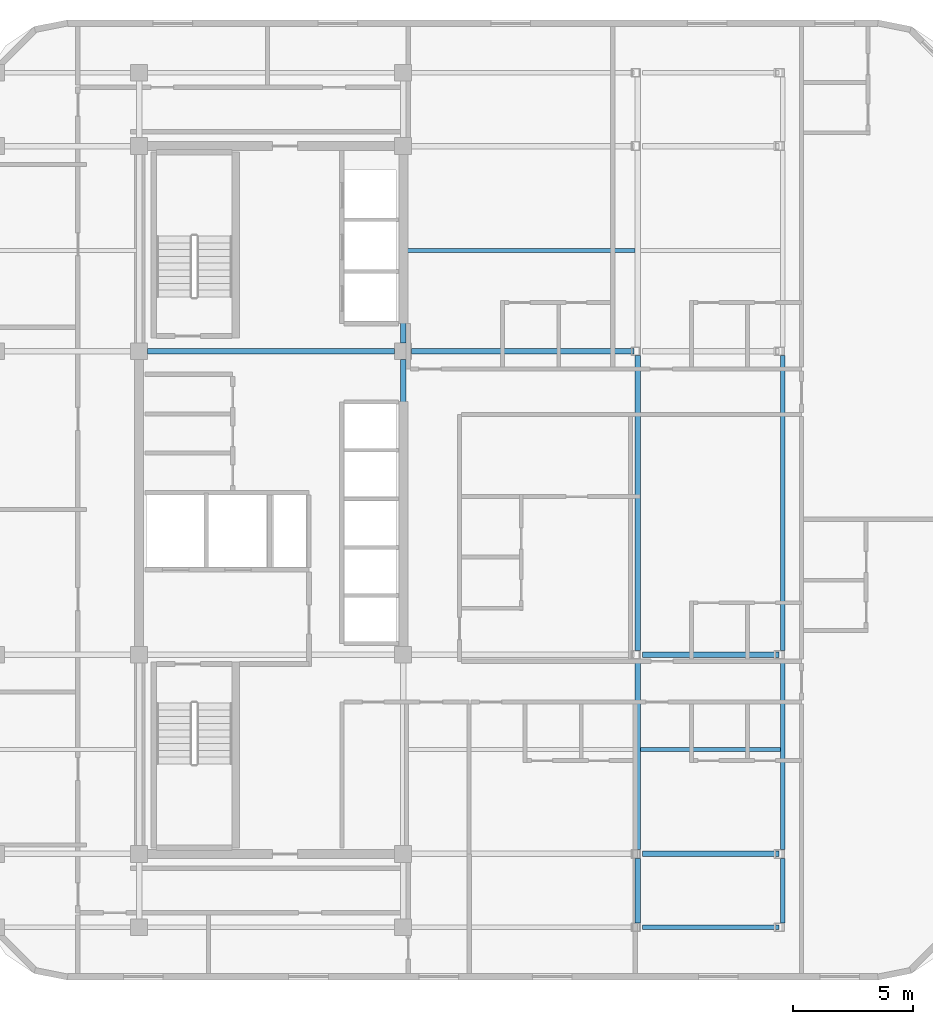
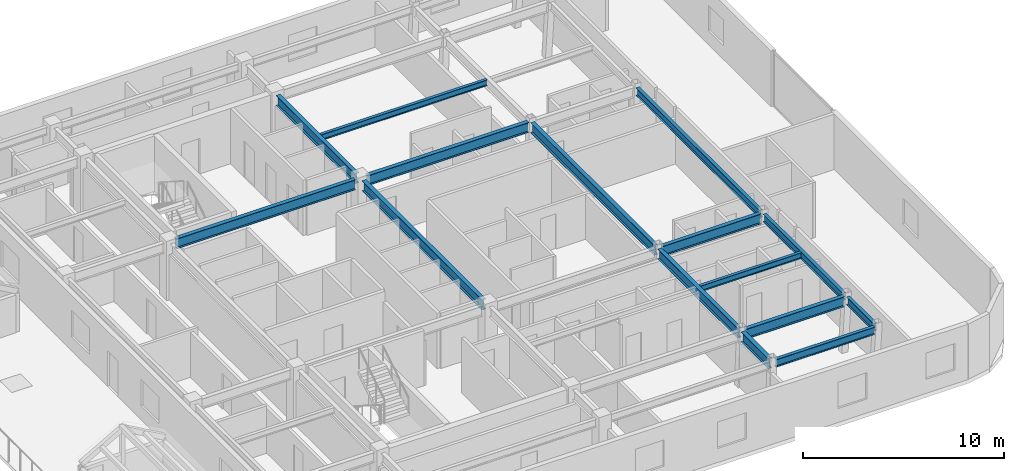
# One storey, part 5 of 16: 15 beams.
"""IFC4 building model written with IfcOpenShell, lengths in metres."""

from ifc_helpers import new_model, si_unit, direction, frame, origin, origin_2d, place, context, subcontext, project, spatial, i_section, extrude, material, material_profile, profile_set, type_object, element, save


model = new_model("IFC4")

# Units and contexts
model_context = context("Model", 3, precision=1e-05, world=origin(), true_north=direction((0.0, 1.0)))
body_context = subcontext(model_context, "Body", "Model", "MODEL_VIEW")
ifc_project = project(units=[si_unit("LENGTHUNIT", "METRE"), si_unit("AREAUNIT", "SQUARE_METRE"), si_unit("VOLUMEUNIT", "CUBIC_METRE"), si_unit("PLANEANGLEUNIT", "RADIAN"), si_unit("MASSUNIT", "GRAM", prefix="KILO")], contexts=[model_context])

# Site, building, storey
site_placement = place(None, origin())
site = spatial("IfcSite", under=ifc_project, at=site_placement, CompositionType="ELEMENT")
building_placement = place(site_placement, origin())
building = spatial("IfcBuilding", under=site, at=building_placement, Name="Ochreholt Gables", CompositionType="ELEMENT")
storey_placement = place(building_placement, frame((0.0, 0.0, 141.0)))
storey = spatial("IfcBuildingStorey", under=building, at=storey_placement, Name="L36", CompositionType="ELEMENT", Elevation=141.0)

# Beams
ifc_material = material(Name="Steel CSA G40.21 350W", Category="steel")
ifc_material_profile_1 = material_profile(ifc_material, i_section(OverallWidth=0.22900390625, OverallDepth=0.612060546875, WebThickness=0.011962890625, FlangeThickness=0.01953125, at=origin_2d()), Name="W610X125")
ifc_profile_set_1 = profile_set([ifc_material_profile_1], Name="Steel CSA G40.21 350W")
beam_type_1 = type_object("IfcBeamType", Name="BM-G-W610B", PredefinedType="BEAM", material=ifc_profile_set_1)
for number, where, z_axis, x_axis, name in (
    (1, (45.174560546875, 9.25, 3.053955078125), (1.0, 0.0, 0.0), (0.0, 1.0, 0.0), "L36 Beam TBG-L36-EMEE-Y2"),
    (2, (45.174560546875, 17.550048828125, 3.053955078125), (1.0, 0.0, 0.0), (0.0, 1.0, 0.0), "L36 Beam TBG-L36-EMEE-Y3"),
):
    element("IfcBeam", number, at=place(storey_placement, frame(where, z_axis=z_axis, x_axis=x_axis)), inside=storey, type_object=beam_type_1, Name=name, PredefinedType="BEAM", context=body_context, shape_type="SweptSolid", body=[
        extrude(i_section(OverallWidth=0.22900390625, OverallDepth=0.612060546875, WebThickness=0.011962890625, FlangeThickness=0.01953125, at=origin_2d()), origin(), (0.0, 0.0, 1.0), 5.69140625),
    ])
beam_1_placement = place(storey_placement, frame((24.549560546875, 30.199951171875, 3.053955078125), z_axis=(1.0, 0.0, 0.0), x_axis=(0.0, 1.0, 0.0)))
element("IfcBeam", 3, at=beam_1_placement, inside=storey, type_object=beam_type_1, Name="L36 Beam TBG-L36-C1C2-Y4", PredefinedType="BEAM", context=body_context, shape_type="SweptSolid", body=[
    extrude(i_section(OverallWidth=0.22900390625, OverallDepth=0.612060546875, WebThickness=0.011962890625, FlangeThickness=0.01953125, at=origin_2d()), origin(), (0.0, 0.0, 1.0), 10.30078125),
])
beam_2_placement = place(storey_placement, frame((35.549560546875, 30.199951171875, 3.053955078125), z_axis=(1.0, 0.0, 0.0), x_axis=(0.0, 1.0, 0.0)))
element("IfcBeam", 4, at=beam_2_placement, inside=storey, type_object=beam_type_1, Name="L36 Beam TBG-L36-C2EM-Y4", PredefinedType="BEAM", context=body_context, shape_type="SweptSolid", body=[
    extrude(i_section(OverallWidth=0.22900390625, OverallDepth=0.612060546875, WebThickness=0.011962890625, FlangeThickness=0.01953125, at=origin_2d()), origin(), (0.0, 0.0, 1.0), 9.269775390625),
])
beam_3_placement = place(storey_placement, frame((35.199951171875, 17.899658203125, 3.053955078125), z_axis=(0.0, 1.0, 0.0), x_axis=(-1.0, 0.0, 0.0)))
element("IfcBeam", 5, at=beam_3_placement, inside=storey, type_object=beam_type_1, Name="L36 Beam TBN-L36-C2-Y3Y4", PredefinedType="BEAM", context=body_context, shape_type="SweptSolid", body=[
    extrude(i_section(OverallWidth=0.22900390625, OverallDepth=0.612060546875, WebThickness=0.011962890625, FlangeThickness=0.01953125, at=origin_2d()), origin(), (0.0, 0.0, 1.0), 11.95068359375),
])
beam_4_placement = place(storey_placement, frame((35.199951171875, 30.549560546875, 3.053955078125), z_axis=(0.0, 1.0, 0.0), x_axis=(-1.0, 0.0, 0.0)))
element("IfcBeam", 6, at=beam_4_placement, inside=storey, type_object=beam_type_1, Name="L36 Beam TBN-L36-C2-Y4Y5", PredefinedType="BEAM", context=body_context, shape_type="SweptSolid", body=[
    extrude(i_section(OverallWidth=0.22900390625, OverallDepth=0.612060546875, WebThickness=0.011962890625, FlangeThickness=0.01953125, at=origin_2d()), origin(), (0.0, 0.0, 1.0), 7.850830078125),
])
beam_5_placement = place(storey_placement, frame((44.979736328125, 6.377685546875, 3.053955078125), z_axis=(0.0, 1.0, 0.0), x_axis=(-1.0, 0.0, 0.0)))
element("IfcBeam", 7, at=beam_5_placement, inside=storey, type_object=beam_type_1, Name="L36 Beam TBN-L36-EM-Y1Y2", PredefinedType="BEAM", context=body_context, shape_type="SweptSolid", body=[
    extrude(i_section(OverallWidth=0.22900390625, OverallDepth=0.612060546875, WebThickness=0.011962890625, FlangeThickness=0.01953125, at=origin_2d()), origin(), (0.0, 0.0, 1.0), 2.69482421875),
])
beam_6_placement = place(storey_placement, frame((44.979736328125, 9.427490234375, 3.053955078125), z_axis=(0.0, 1.0, 0.0), x_axis=(-1.0, 0.0, 0.0)))
element("IfcBeam", 8, at=beam_6_placement, inside=storey, type_object=beam_type_1, Name="L36 Beam TBN-L36-EM-Y2Y3", PredefinedType="BEAM", context=body_context, shape_type="SweptSolid", body=[
    extrude(i_section(OverallWidth=0.22900390625, OverallDepth=0.612060546875, WebThickness=0.011962890625, FlangeThickness=0.01953125, at=origin_2d()), origin(), (0.0, 0.0, 1.0), 7.94482421875),
])
beam_7_placement = place(storey_placement, frame((44.979736328125, 17.7275390625, 3.053955078125), z_axis=(0.0, 1.0, 0.0), x_axis=(-1.0, 0.0, 0.0)))
element("IfcBeam", 9, at=beam_7_placement, inside=storey, type_object=beam_type_1, Name="L36 Beam TBN-L36-EM-Y3Y4", PredefinedType="BEAM", context=body_context, shape_type="SweptSolid", body=[
    extrude(i_section(OverallWidth=0.22900390625, OverallDepth=0.612060546875, WebThickness=0.011962890625, FlangeThickness=0.01953125, at=origin_2d()), origin(), (0.0, 0.0, 1.0), 12.294921875),
])
ifc_material_profile_2 = material_profile(ifc_material, i_section(OverallWidth=0.172119140625, OverallDepth=0.35791015625, WebThickness=0.0078125, FlangeThickness=0.01318359375, at=origin_2d()), Name="W360X57")
ifc_profile_set_2 = profile_set([ifc_material_profile_2], Name="Steel CSA G40.21 350W")
beam_type_2 = type_object("IfcBeamType", Name="BM-J-W360B", PredefinedType="JOIST", material=ifc_profile_set_2)
beam_8_placement = place(storey_placement, frame((45.093994140625, 13.60009765625, 3.180908203125), z_axis=(1.0, 0.0, 0.0), x_axis=(0.0, 1.0, 0.0)))
element("IfcBeam", 10, at=beam_8_placement, inside=storey, type_object=beam_type_2, Name="L36 Beam TBJ-L36-J1-EMEE", PredefinedType="JOIST", context=body_context, shape_type="SweptSolid", body=[
    extrude(i_section(OverallWidth=0.172119140625, OverallDepth=0.35791015625, WebThickness=0.0078125, FlangeThickness=0.01318359375, at=origin_2d()), origin(), (0.0, 0.0, 1.0), 5.82568359375),
])
beam_9_placement = place(storey_placement, frame((35.314208984375, 34.39990234375, 3.180908203125), z_axis=(1.0, 0.0, 0.0), x_axis=(0.0, 1.0, 0.0)))
element("IfcBeam", 11, at=beam_9_placement, inside=storey, type_object=beam_type_2, Name="L36 Beam TBJ-L36-J2-C2EM", PredefinedType="JOIST", context=body_context, shape_type="SweptSolid", body=[
    extrude(i_section(OverallWidth=0.172119140625, OverallDepth=0.35791015625, WebThickness=0.0078125, FlangeThickness=0.01318359375, at=origin_2d()), origin(), (0.0, 0.0, 1.0), 9.551513671875),
])
ifc_material_profile_3 = material_profile(ifc_material, i_section(OverallWidth=0.19189453125, OverallDepth=0.462890625, WebThickness=0.010498046875, FlangeThickness=0.017578125, at=origin_2d()), Name="W460X89")
ifc_profile_set_3 = profile_set([ifc_material_profile_3], Name="Steel CSA G40.21 350W")
beam_type_3 = type_object("IfcBeamType", Name="BM-SP-W460A", PredefinedType="SPANDREL", material=ifc_profile_set_3)
beam_10_placement = place(storey_placement, frame((45.174560546875, 6.199951171875, 3.12841796875), z_axis=(1.0, 0.0, 0.0), x_axis=(0.0, 1.0, 0.0)))
element("IfcBeam", 12, at=beam_10_placement, inside=storey, type_object=beam_type_3, Name="L36 Beam TBG-L36-EMEE-Y1", PredefinedType="SPANDREL", context=body_context, shape_type="SweptSolid", body=[
    extrude(i_section(OverallWidth=0.19189453125, OverallDepth=0.462890625, WebThickness=0.010498046875, FlangeThickness=0.017578125, at=origin_2d()), origin(), (0.0, 0.0, 1.0), 5.69140625),
])
beam_11_placement = place(storey_placement, frame((51.01513671875, 6.377685546875, 3.12841796875), z_axis=(0.0, 1.0, 0.0), x_axis=(-1.0, 0.0, 0.0)))
element("IfcBeam", 13, at=beam_11_placement, inside=storey, type_object=beam_type_3, Name="L36 Beam TBN-L36-EE-Y1Y2", PredefinedType="SPANDREL", context=body_context, shape_type="SweptSolid", body=[
    extrude(i_section(OverallWidth=0.19189453125, OverallDepth=0.462890625, WebThickness=0.010498046875, FlangeThickness=0.017578125, at=origin_2d()), origin(), (0.0, 0.0, 1.0), 2.69482421875),
])
beam_12_placement = place(storey_placement, frame((51.01513671875, 9.427490234375, 3.12841796875), z_axis=(0.0, 1.0, 0.0), x_axis=(-1.0, 0.0, 0.0)))
element("IfcBeam", 14, at=beam_12_placement, inside=storey, type_object=beam_type_3, Name="L36 Beam TBN-L36-EE-Y2Y3", PredefinedType="SPANDREL", context=body_context, shape_type="SweptSolid", body=[
    extrude(i_section(OverallWidth=0.19189453125, OverallDepth=0.462890625, WebThickness=0.010498046875, FlangeThickness=0.017578125, at=origin_2d()), origin(), (0.0, 0.0, 1.0), 7.94482421875),
])
beam_13_placement = place(storey_placement, frame((51.01513671875, 17.7275390625, 3.12841796875), z_axis=(0.0, 1.0, 0.0), x_axis=(-1.0, 0.0, 0.0)))
element("IfcBeam", 15, at=beam_13_placement, inside=storey, type_object=beam_type_3, Name="L36 Beam TBN-L36-EE-Y3Y4", PredefinedType="SPANDREL", context=body_context, shape_type="SweptSolid", body=[
    extrude(i_section(OverallWidth=0.19189453125, OverallDepth=0.462890625, WebThickness=0.010498046875, FlangeThickness=0.017578125, at=origin_2d()), origin(), (0.0, 0.0, 1.0), 12.294921875),
])

save(model, "model.ifc")
